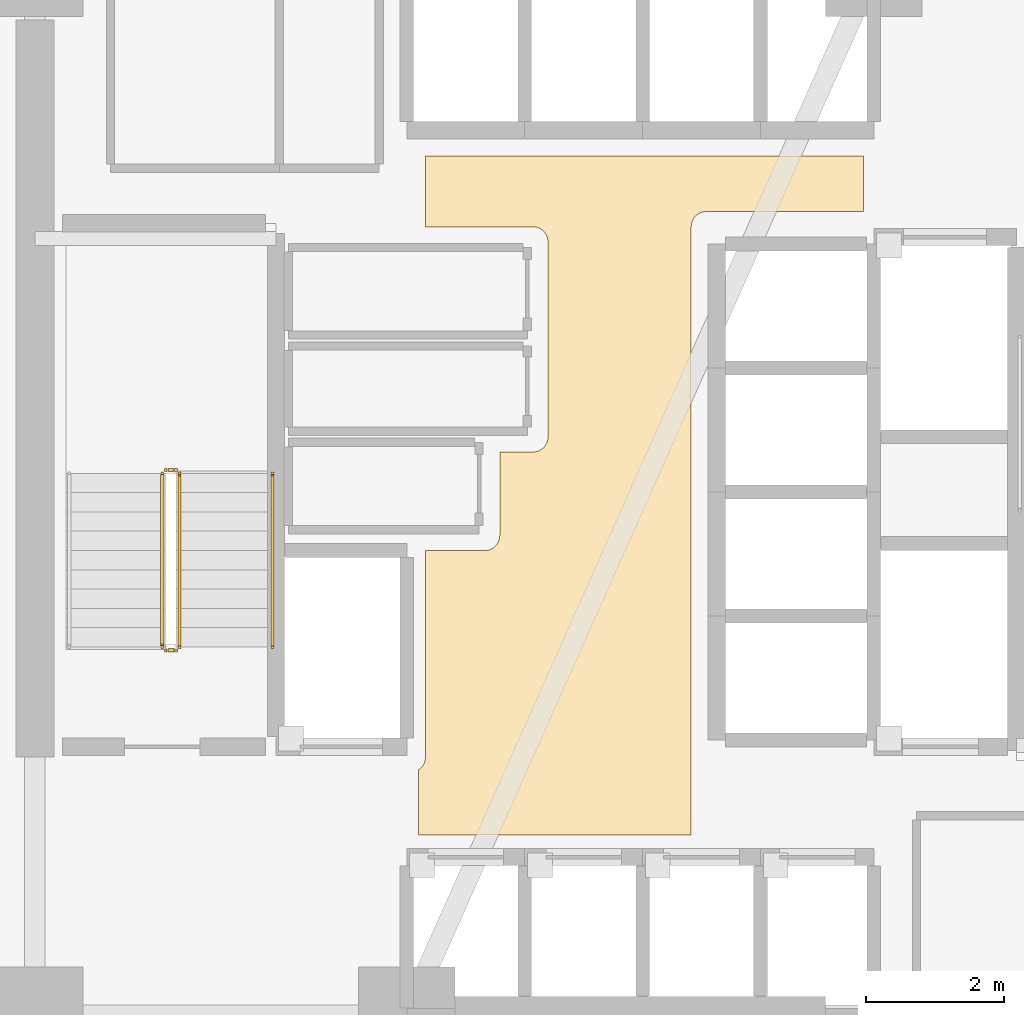
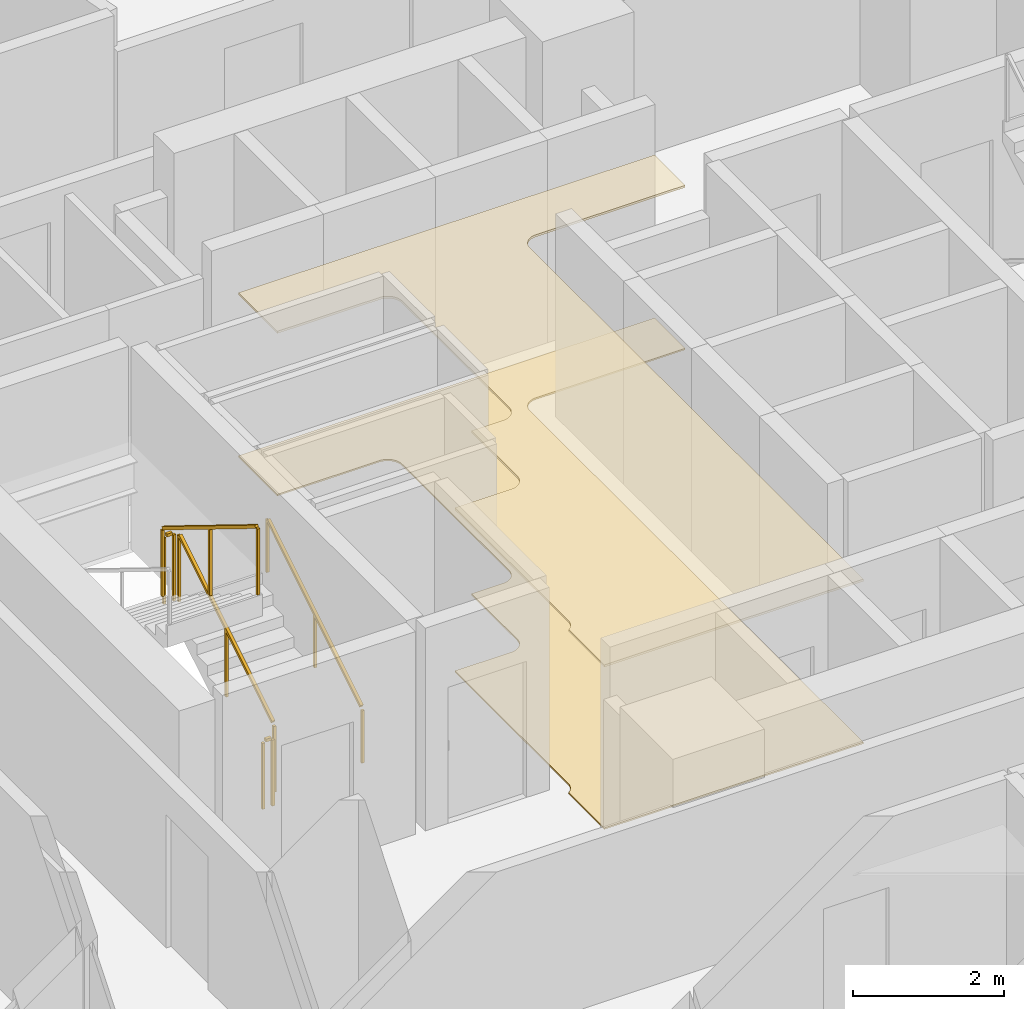
# One storey, part 13 of 16: 5 railings, 2 coverings.
"""IFC4 building model written with IfcOpenShell, lengths in metres."""

from ifc_helpers import new_model, si_unit, direction, frame, origin, origin_2d, place, context, subcontext, project, spatial, polyline, rectangle, outline, extrude, material, layer, layer_set, type_object, element, save


model = new_model("IFC4")

# Units and contexts
model_context = context("Model", 3, precision=1e-05, world=origin(), true_north=direction((0.0, 1.0)))
body_context = subcontext(model_context, "Body", "Model", "MODEL_VIEW")
ifc_project = project(units=[si_unit("LENGTHUNIT", "METRE"), si_unit("AREAUNIT", "SQUARE_METRE"), si_unit("VOLUMEUNIT", "CUBIC_METRE"), si_unit("PLANEANGLEUNIT", "RADIAN"), si_unit("MASSUNIT", "GRAM", prefix="KILO")], contexts=[model_context])

# Site, building, storey
site_placement = place(None, origin())
site = spatial("IfcSite", under=ifc_project, at=site_placement, CompositionType="ELEMENT")
building_placement = place(site_placement, origin())
building = spatial("IfcBuilding", under=site, at=building_placement, Name="Tharavind Bronze Gate", CompositionType="ELEMENT")
storey_placement = place(building_placement, frame((0.0, 0.0, 70.75)))
storey = spatial("IfcBuildingStorey", under=building, at=storey_placement, Name="L17", CompositionType="ELEMENT", Elevation=70.75)

# Coverings
ifc_material_1 = material(Name="Perforated Bronze Acoustic Panel", Category="bronze")
ifc_layer_1 = layer(ifc_material_1, 0.044921875)
ifc_layer_set_1 = layer_set([ifc_layer_1], Name="Perforated Bronze Acoustic Panel")
covering_type_1 = type_object("IfcCoveringType", Name="ACOUSTIC BRONZE BAFFLE CEILING", PredefinedType="CEILING", material=ifc_layer_set_1)
covering_1_placement = place(storey_placement, frame((0.0, 0.0, 2.625)))
element("IfcCovering", 1, at=covering_1_placement, inside=storey, type_object=covering_type_1, Name="L17-C-LL suspended ceiling", PredefinedType="CEILING", context=body_context, shape_type="SweptSolid", body=[
    extrude(outline(polyline([(-3.330078125, -4.97998046875), (0.6298828125, -4.97998046875), (0.6298828125, 3.85009765625), (0.631103515625, 3.87158203125), (0.63427734375, 3.892822265625), (0.639404296875, 3.913818359375), (0.646728515625, 3.93408203125), (0.656005859375, 3.95361328125), (0.6669921875, 3.97216796875), (0.679931640625, 3.989501953125), (0.6943359375, 4.005615234375), (0.71044921875, 4.02001953125), (0.727783203125, 4.032958984375), (0.746337890625, 4.0439453125), (0.765869140625, 4.05322265625), (0.7861328125, 4.060546875), (0.80712890625, 4.06591796875), (0.828369140625, 4.06884765625), (0.85009765625, 4.070068359375), (3.1298828125, 4.070068359375), (3.1298828125, 4.8798828125), (-3.22998046875, 4.8798828125), (-3.22998046875, 3.85009765625), (-1.669921875, 3.85009765625), (-1.6484375, 3.848876953125), (-1.627197265625, 3.845703125), (-1.606201171875, 3.840576171875), (-1.585693359375, 3.833251953125), (-1.56640625, 3.823974609375), (-1.5478515625, 3.81298828125), (-1.530517578125, 3.800048828125), (-1.514404296875, 3.78564453125), (-1.5, 3.76953125), (-1.487060546875, 3.752197265625), (-1.47607421875, 3.733642578125), (-1.466796875, 3.714111328125), (-1.45947265625, 3.69384765625), (-1.4541015625, 3.6728515625), (-1.451171875, 3.651611328125), (-1.449951171875, 3.6298828125), (-1.449951171875, 0.800048828125), (-1.451171875, 0.7783203125), (-1.4541015625, 0.757080078125), (-1.45947265625, 0.736083984375), (-1.466796875, 0.7158203125), (-1.47607421875, 0.6962890625), (-1.487060546875, 0.677734375), (-1.5, 0.660400390625), (-1.514404296875, 0.644287109375), (-1.530517578125, 0.6298828125), (-1.5478515625, 0.6171875), (-1.56640625, 0.60595703125), (-1.585693359375, 0.5966796875), (-1.606201171875, 0.589599609375), (-1.627197265625, 0.584228515625), (-1.6484375, 0.5810546875), (-1.669921875, 0.580078125), (-2.14990234375, 0.580078125), (-2.14990234375, -0.6298828125), (-2.151123046875, -0.651611328125), (-2.154296875, -0.6728515625), (-2.159423828125, -0.69384765625), (-2.166748046875, -0.714111328125), (-2.176025390625, -0.733642578125), (-2.18701171875, -0.752197265625), (-2.199951171875, -0.76953125), (-2.21435546875, -0.78564453125), (-2.23046875, -0.800048828125), (-2.247802734375, -0.81298828125), (-2.266357421875, -0.823974609375), (-2.285888671875, -0.833251953125), (-2.30615234375, -0.840576171875), (-2.3271484375, -0.845703125), (-2.348388671875, -0.848876953125), (-2.3701171875, -0.85009765625), (-3.22998046875, -0.85009765625), (-3.22998046875, -3.85009765625), (-3.231201171875, -3.87158203125), (-3.234130859375, -3.892822265625), (-3.239501953125, -3.913818359375), (-3.24658203125, -3.93408203125), (-3.256103515625, -3.95361328125), (-3.26708984375, -3.97216796875), (-3.27978515625, -3.989501953125), (-3.29443359375, -4.005615234375), (-3.310302734375, -4.02001953125), (-3.327880859375, -4.032958984375), (-3.330078125, -4.0341796875), (-3.330078125, -4.97998046875)])), origin(), (0.0, 0.0, 1.0), 0.034912109375),
])
ifc_material_2 = material(Name="Honed Travertine Limestone", Category="masonry")
ifc_layer_2 = layer(ifc_material_2, 0.030029296875)
ifc_layer_set_2 = layer_set([ifc_layer_2], Name="Honed Travertine Limestone")
covering_type_2 = type_object("IfcCoveringType", Name="HONED LIMESTONE FLOORING", PredefinedType="FLOORING", material=ifc_layer_set_2)
covering_2_placement = place(storey_placement, origin())
element("IfcCovering", 2, at=covering_2_placement, inside=storey, type_object=covering_type_2, Name="L17-C-LL floor finish", PredefinedType="FLOORING", context=body_context, shape_type="SweptSolid", body=[
    extrude(outline(polyline([(-3.330078125, -4.97998046875), (0.6298828125, -4.97998046875), (0.6298828125, 3.85009765625), (0.631103515625, 3.87158203125), (0.63427734375, 3.892822265625), (0.639404296875, 3.913818359375), (0.646728515625, 3.93408203125), (0.656005859375, 3.95361328125), (0.6669921875, 3.97216796875), (0.679931640625, 3.989501953125), (0.6943359375, 4.005615234375), (0.71044921875, 4.02001953125), (0.727783203125, 4.032958984375), (0.746337890625, 4.0439453125), (0.765869140625, 4.05322265625), (0.7861328125, 4.060546875), (0.80712890625, 4.06591796875), (0.828369140625, 4.06884765625), (0.85009765625, 4.070068359375), (3.1298828125, 4.070068359375), (3.1298828125, 4.8798828125), (-3.22998046875, 4.8798828125), (-3.22998046875, 3.85009765625), (-1.669921875, 3.85009765625), (-1.6484375, 3.848876953125), (-1.627197265625, 3.845703125), (-1.606201171875, 3.840576171875), (-1.585693359375, 3.833251953125), (-1.56640625, 3.823974609375), (-1.5478515625, 3.81298828125), (-1.530517578125, 3.800048828125), (-1.514404296875, 3.78564453125), (-1.5, 3.76953125), (-1.487060546875, 3.752197265625), (-1.47607421875, 3.733642578125), (-1.466796875, 3.714111328125), (-1.45947265625, 3.69384765625), (-1.4541015625, 3.6728515625), (-1.451171875, 3.651611328125), (-1.449951171875, 3.6298828125), (-1.449951171875, 0.800048828125), (-1.451171875, 0.7783203125), (-1.4541015625, 0.757080078125), (-1.45947265625, 0.736083984375), (-1.466796875, 0.7158203125), (-1.47607421875, 0.6962890625), (-1.487060546875, 0.677734375), (-1.5, 0.660400390625), (-1.514404296875, 0.644287109375), (-1.530517578125, 0.6298828125), (-1.5478515625, 0.6171875), (-1.56640625, 0.60595703125), (-1.585693359375, 0.5966796875), (-1.606201171875, 0.589599609375), (-1.627197265625, 0.584228515625), (-1.6484375, 0.5810546875), (-1.669921875, 0.580078125), (-2.14990234375, 0.580078125), (-2.14990234375, -0.6298828125), (-2.151123046875, -0.651611328125), (-2.154296875, -0.6728515625), (-2.159423828125, -0.69384765625), (-2.166748046875, -0.714111328125), (-2.176025390625, -0.733642578125), (-2.18701171875, -0.752197265625), (-2.199951171875, -0.76953125), (-2.21435546875, -0.78564453125), (-2.23046875, -0.800048828125), (-2.247802734375, -0.81298828125), (-2.266357421875, -0.823974609375), (-2.285888671875, -0.833251953125), (-2.30615234375, -0.840576171875), (-2.3271484375, -0.845703125), (-2.348388671875, -0.848876953125), (-2.3701171875, -0.85009765625), (-3.22998046875, -0.85009765625), (-3.22998046875, -3.85009765625), (-3.231201171875, -3.87158203125), (-3.234130859375, -3.892822265625), (-3.239501953125, -3.913818359375), (-3.24658203125, -3.93408203125), (-3.256103515625, -3.95361328125), (-3.26708984375, -3.97216796875), (-3.27978515625, -3.989501953125), (-3.29443359375, -4.005615234375), (-3.310302734375, -4.02001953125), (-3.327880859375, -4.032958984375), (-3.330078125, -4.0341796875), (-3.330078125, -4.97998046875)])), origin(), (0.0, 0.0, 1.0), 0.02490234375),
])

# Railings
ifc_material_3 = material(Name="Brushed Bronze Alloy", Category="metal")
railing_type_1 = type_object("IfcRailingType", Name="STAIR BRONZE HANDRAIL 900", PredefinedType="HANDRAIL", material=ifc_material_3)
railing_1_placement = place(storey_placement, frame((-5.449951171875, -2.25, 0.172607421875)))
element("IfcRailing", 3, at=railing_1_placement, inside=storey, type_object=railing_type_1, Name="L17 ST1 stair handrail 1", PredefinedType="HANDRAIL", context=body_context, shape_type="SweptSolid", body=[
    extrude(rectangle(XDim=0.048095703125, YDim=0.048095703125, at=origin_2d()), frame((0.0, 0.02734375, 0.892578125), z_axis=(0.0, 0.851400495292, 0.524516154772), x_axis=(-1.0, 0.0, 0.0)), (0.0, 0.0, 1.0), 2.895751953125),
    extrude(rectangle(XDim=0.0400390625, YDim=0.0400390625, at=origin_2d()), origin(), (0.0, 0.0, 1.0), 0.847900390625),
    extrude(rectangle(XDim=0.0400390625, YDim=0.0400390625, at=origin_2d()), frame((0.0, 1.260009765625, 0.7763671875)), (0.0, 0.0, 1.0), 0.847900390625),
    extrude(rectangle(XDim=0.0400390625, YDim=0.0400390625, at=origin_2d()), frame((0.0, 2.52001953125, 1.552490234375)), (0.0, 0.0, 1.0), 0.847900390625),
])
railing_type_2 = type_object("IfcRailingType", Name="STAIR WELL GUARD RAILING 1120", PredefinedType="GUARDRAIL", material=ifc_material_3)
railing_2_placement = place(storey_placement, frame((-6.800048828125, -2.25, 0.172607421875)))
element("IfcRailing", 4, at=railing_2_placement, inside=storey, type_object=railing_type_2, Name="L17 ST1 stair guard 1", PredefinedType="GUARDRAIL", context=body_context, shape_type="SweptSolid", body=[
    extrude(rectangle(XDim=0.048095703125, YDim=0.048095703125, at=origin_2d()), frame((0.0, 0.02734375, 1.11279296875), z_axis=(0.0, 0.851400495292, 0.524516154772), x_axis=(-1.0, 0.0, 0.0)), (0.0, 0.0, 1.0), 2.895751953125),
    extrude(rectangle(XDim=0.0400390625, YDim=0.0400390625, at=origin_2d()), origin(), (0.0, 0.0, 1.0), 1.068115234375),
    extrude(rectangle(XDim=0.0400390625, YDim=0.0400390625, at=origin_2d()), frame((0.0, 1.260009765625, 0.7763671875)), (0.0, 0.0, 1.0), 1.068115234375),
    extrude(rectangle(XDim=0.0400390625, YDim=0.0400390625, at=origin_2d()), frame((0.0, 2.52001953125, 1.552490234375)), (0.0, 0.0, 1.0), 1.068115234375),
])
railing_3_placement = place(storey_placement, frame((-6.85009765625, 0.320068359375, 1.72509765625)))
element("IfcRailing", 5, at=railing_3_placement, inside=storey, type_object=railing_type_2, Name="L17 ST1 stair guard 2", PredefinedType="GUARDRAIL", context=body_context, shape_type="SweptSolid", body=[
    extrude(rectangle(XDim=0.048095703125, YDim=0.048095703125, at=origin_2d()), frame((-0.031982421875, 0.0, 1.09619140625), z_axis=(-1.0, 0.0, 0.0), x_axis=(0.0, -1.0, 0.0)), (0.0, 0.0, 1.0), 0.0859375),
    extrude(rectangle(XDim=0.0400390625, YDim=0.0400390625, at=origin_2d()), origin(), (0.0, 0.0, 1.0), 1.068115234375),
    extrude(rectangle(XDim=0.0400390625, YDim=0.0400390625, at=origin_2d()), frame((-0.14990234375, 0.0, 0.0)), (0.0, 0.0, 1.0), 1.068115234375),
])
railing_4_placement = place(storey_placement, frame((-7.050048828125, 0.27001953125, 1.8974609375)))
element("IfcRailing", 6, at=railing_4_placement, inside=storey, type_object=railing_type_2, Name="L17 ST1 stair guard 3", PredefinedType="GUARDRAIL", context=body_context, shape_type="SweptSolid", body=[
    extrude(rectangle(XDim=0.048095703125, YDim=0.048095703125, at=origin_2d()), frame((0.0, -0.02734375, 1.11279296875), z_axis=(0.0, -0.851400495292, 0.524516154772), x_axis=(1.0, 0.0, 0.0)), (0.0, 0.0, 1.0), 2.895751953125),
    extrude(rectangle(XDim=0.0400390625, YDim=0.0400390625, at=origin_2d()), origin(), (0.0, 0.0, 1.0), 1.068115234375),
    extrude(rectangle(XDim=0.0400390625, YDim=0.0400390625, at=origin_2d()), frame((0.0, -1.260009765625, 0.7763671875)), (0.0, 0.0, 1.0), 1.068115234375),
    extrude(rectangle(XDim=0.0400390625, YDim=0.0400390625, at=origin_2d()), frame((0.0, -2.52001953125, 1.552490234375)), (0.0, 0.0, 1.0), 1.068115234375),
])
railing_5_placement = place(storey_placement, frame((-6.85009765625, -2.300048828125, 0.0)))
element("IfcRailing", 7, at=railing_5_placement, inside=storey, type_object=railing_type_2, Name="L17 ST1 stair guard 4", PredefinedType="GUARDRAIL", context=body_context, shape_type="SweptSolid", body=[
    extrude(rectangle(XDim=0.048095703125, YDim=0.048095703125, at=origin_2d()), frame((-0.031982421875, 0.0, 1.09619140625), z_axis=(-1.0, 0.0, 0.0), x_axis=(0.0, -1.0, 0.0)), (0.0, 0.0, 1.0), 0.0859375),
    extrude(rectangle(XDim=0.0400390625, YDim=0.0400390625, at=origin_2d()), origin(), (0.0, 0.0, 1.0), 1.068115234375),
    extrude(rectangle(XDim=0.0400390625, YDim=0.0400390625, at=origin_2d()), frame((-0.14990234375, 0.0, 0.0)), (0.0, 0.0, 1.0), 1.068115234375),
])

save(model, "model.ifc")
